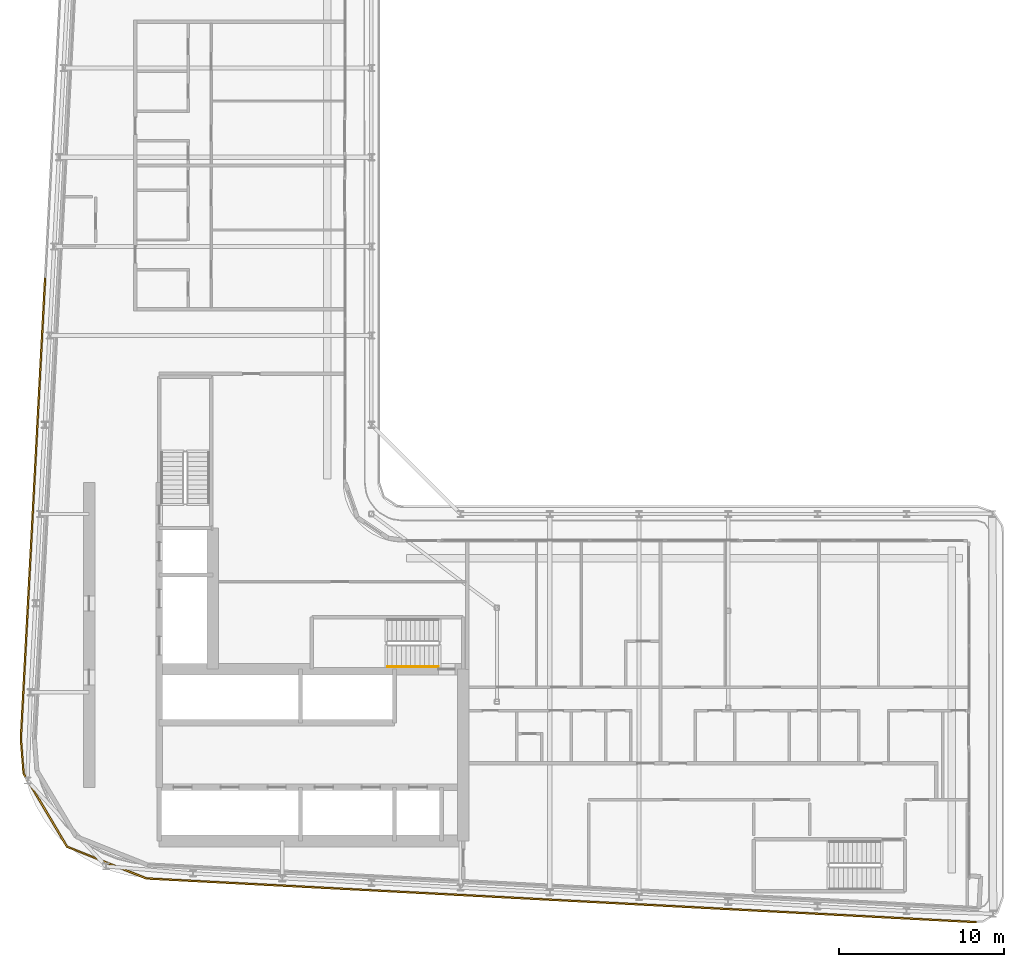
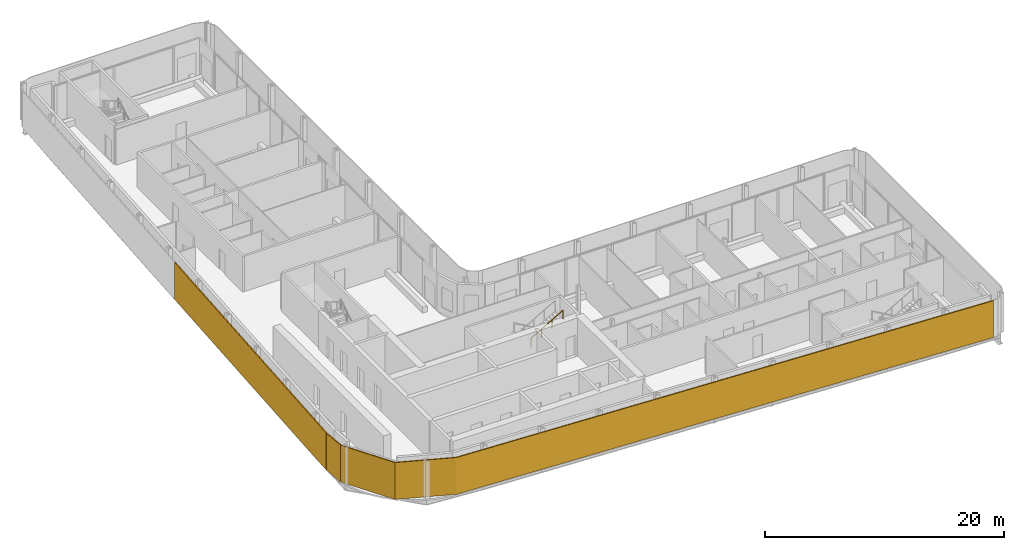
# One storey, part 15 of 21: 2 shading devices, 1 railing.
"""IFC4 building model written with IfcOpenShell, lengths in metres."""

from ifc_helpers import new_model, si_unit, direction, frame, origin, origin_2d, place, context, subcontext, project, spatial, polyline, rectangle, circle, outline, extrude, material, layer, layer_set, type_object, element, save


model = new_model("IFC4")

# Units and contexts
model_context = context("Model", 3, precision=1e-05, world=origin(), true_north=direction((0.0, 1.0)))
body_context = subcontext(model_context, "Body", "Model", "MODEL_VIEW")
ifc_project = project(units=[si_unit("LENGTHUNIT", "METRE"), si_unit("AREAUNIT", "SQUARE_METRE"), si_unit("VOLUMEUNIT", "CUBIC_METRE"), si_unit("PLANEANGLEUNIT", "RADIAN"), si_unit("MASSUNIT", "GRAM", prefix="KILO")], contexts=[model_context])

# Site, building, storey
site_placement = place(None, origin())
site = spatial("IfcSite", under=ifc_project, at=site_placement, CompositionType="ELEMENT")
building_placement = place(site_placement, origin())
building = spatial("IfcBuilding", under=site, at=building_placement, Name="Kheshtan School and Residences Tower", CompositionType="ELEMENT")
storey_placement = place(building_placement, frame((0.0, 0.0, 220.10009765625)))
storey = spatial("IfcBuildingStorey", under=building, at=storey_placement, Name="L51", CompositionType="ELEMENT", Elevation=220.10009765625)

# Shading devices
ifc_material_1 = material(Name="Terracotta baguette, extruded ceramic", Category="masonry")
ifc_layer = layer(ifc_material_1, 0.10009765625)
ifc_layer_set = layer_set([ifc_layer], Name="Ledge screen, terracotta baguettes")
shading_device_type = type_object("IfcShadingDeviceType", Name="Ledge screen, terracotta baguettes", PredefinedType="USERDEFINED", material=ifc_layer_set)
shading_device_1_placement = place(storey_placement, origin())
element("IfcShadingDevice", 1, at=shading_device_1_placement, inside=storey, type_object=shading_device_type, Name="Screen L51 3", ObjectType="BAGUETTE", PredefinedType="USERDEFINED", context=body_context, shape_type="SweptSolid", body=[
    extrude(outline(polyline([(84.220947265625, 20.93603515625), (33.989013671875, 23.580078125), (29.2119140625, 25.486083984375), (26.583984375, 29.906982421875), (26.419921875, 31.989013671875), (26.320068359375, 31.98095703125), (26.486083984375, 29.8759765625), (29.14306640625, 25.406005859375), (33.967041015625, 23.48095703125), (84.216064453125, 20.8359375), (84.220947265625, 20.93603515625)])), origin(), (0.0, 0.0, 1.0), 3.75),
])
shading_device_2_placement = place(storey_placement, frame((27.10400390625, 45.93896484375, 0.0), z_axis=(0.0, 0.0, 1.0), x_axis=(0.052562536748, 0.998617634398, 0.0)))
element("IfcShadingDevice", 2, at=shading_device_2_placement, inside=storey, type_object=shading_device_type, Name="Screen L51 4", ObjectType="BAGUETTE", PredefinedType="USERDEFINED", context=body_context, shape_type="SweptSolid", body=[
    extrude(rectangle(XDim=27.93408203125, YDim=0.10009765625, at=origin_2d()), origin(), (0.0, 0.0, 1.0), 3.75),
])

# Railing
ifc_material_2 = material(Name="Stainless steel handrail", Category="steel")
railing_type = type_object("IfcRailingType", Name="Stair handrail 900", PredefinedType="HANDRAIL", material=ifc_material_2)
railing_placement = place(storey_placement, frame((48.570068359375, 36.35009765625, 2.1123046875)))
element("IfcRailing", 3, at=railing_placement, inside=storey, type_object=railing_type, Name="L51 ST1 stair handrail 2", PredefinedType="HANDRAIL", context=body_context, shape_type="SweptSolid", body=[
    extrude(circle(Radius=0.02392578125, at=origin_2d()), frame((0.0, 0.0, 0.8759765625), z_axis=(0.864873446163, 0.0, 0.501989962173), x_axis=(0.0, 1.0, 0.0)), (0.0, 0.0, 1.0), 3.56103515625),
    extrude(circle(Radius=0.02099609375, at=origin_2d()), origin(), (0.0, 0.0, 1.0), 0.851806640625),
    extrude(circle(Radius=0.02099609375, at=origin_2d()), frame((1.026611328125, 0.0, 0.595947265625)), (0.0, 0.0, 1.0), 0.851806640625),
    extrude(circle(Radius=0.02099609375, at=origin_2d()), frame((2.05322265625, 0.0, 1.191650390625)), (0.0, 0.0, 1.0), 0.851806640625),
    extrude(circle(Radius=0.02099609375, at=origin_2d()), frame((3.079833984375, 0.0, 1.78759765625)), (0.0, 0.0, 1.0), 0.851806640625),
])

save(model, "model.ifc")
